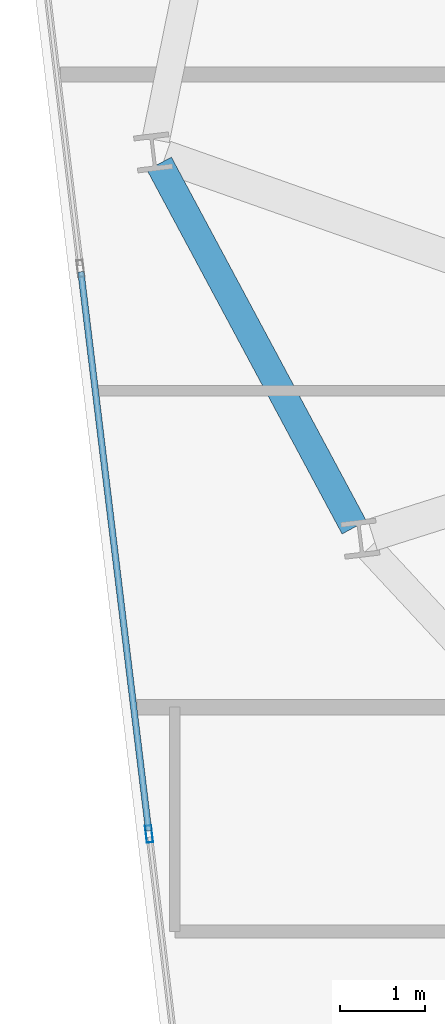
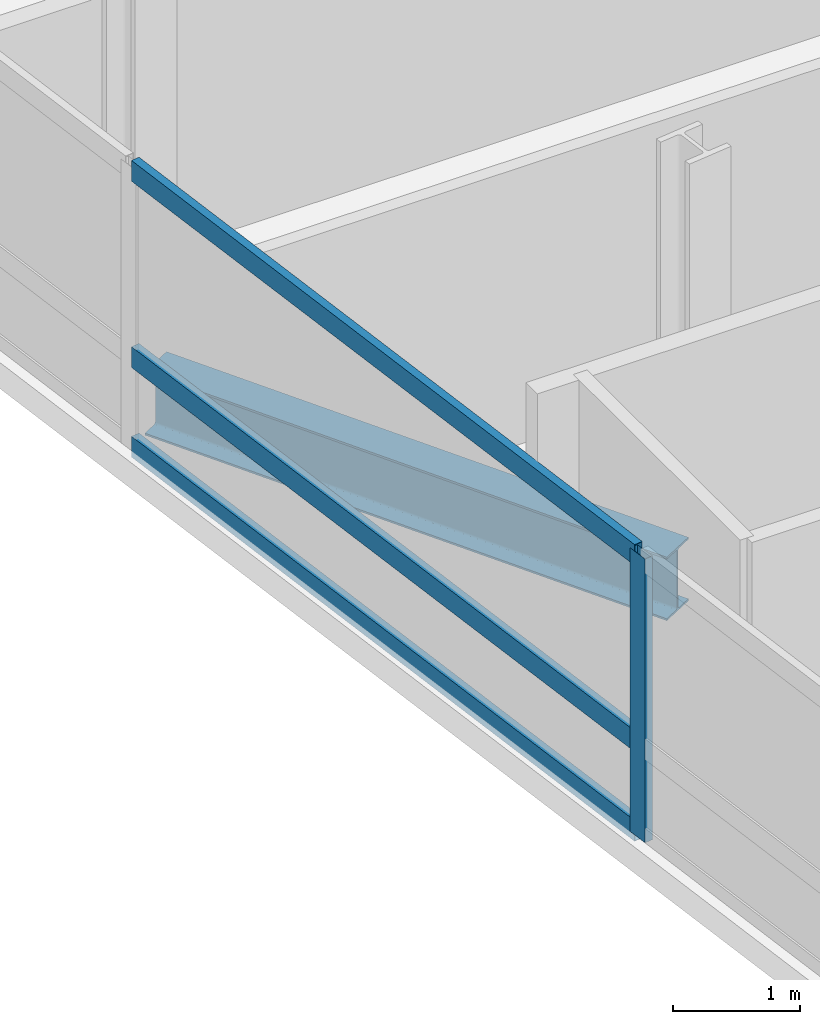
# One storey, part 4 of 23: 4 members, 1 beam, 1 element without a shape of its own.
"""IFC4 building model written with IfcOpenShell, lengths in metres."""

import ifcopenshell
import ifcopenshell.guid

model = None  # the IFC model being written
_history = None  # IfcOwnerHistory: only IFC2X3 demands one
_inside = {}  # id of a spatial element -> (the spatial element, [elements in it])
_under = {}  # id of a project, library or spatial element -> (it, [spatial elements below it])
_declared = {}  # id of a project -> (the project, [libraries it declares])
_typed = {}  # id of a type object -> (the type object, [elements of that type])
_made_of = {}  # id of a material, layer set ... -> (it, [elements and type objects made of it])


def new_model(schema):
    """Start an empty IFC model of exactly this schema.

    Asked for "IFC4X3", IfcOpenShell would pick the latest addendum, in which some entities
    have other attributes; the version numbers below select the first issue.
    IFC2X3 requires an IfcOwnerHistory on every rooted entity: one is made here for all.
    """
    global model, _history
    if schema == "IFC4X3":
        model = ifcopenshell.file(schema_version=(4, 3, 0, 0))
    else:
        model = ifcopenshell.file(schema=schema)
    _inside.clear()
    _under.clear()
    _declared.clear()
    _typed.clear()
    _made_of.clear()
    _history = None
    if model.schema == "IFC2X3":
        org = make("IfcOrganization", Name="unknown")
        user = make(
            "IfcPersonAndOrganization",
            ThePerson=make("IfcPerson", FamilyName="unknown"),
            TheOrganization=org,
        )
        app = make(
            "IfcApplication",
            ApplicationDeveloper=org,
            Version="unknown",
            ApplicationFullName="unknown",
            ApplicationIdentifier="unknown",
        )
        _history = make(
            "IfcOwnerHistory",
            OwningUser=user,
            OwningApplication=app,
            ChangeAction="ADDED",
            CreationDate=0,
        )
    return model


def make(cls, **values):
    """One entity of the class cls with the attributes given. An attribute that is None is left unset."""
    return model.create_entity(
        cls, **{name: value for name, value in values.items() if value is not None}
    )


def rooted(cls, **values):
    """An entity with a GlobalId (a new one), such as an element, a storey or a relation."""
    return make(cls, GlobalId=ifcopenshell.guid.new(), OwnerHistory=_history, **values)


def si_unit(unit_type, name, prefix=None):
    """IfcSIUnit, for example si_unit("LENGTHUNIT", "METRE", prefix="MILLI")."""
    return make("IfcSIUnit", UnitType=unit_type, Prefix=prefix, Name=name)


def assignment(units):
    """IfcUnitAssignment: the units of a project."""
    return None if units is None else make("IfcUnitAssignment", Units=units)


def point(xyz):
    """IfcCartesianPoint."""
    return None if xyz is None else make("IfcCartesianPoint", Coordinates=xyz)


def direction(xyz):
    """IfcDirection."""
    return None if xyz is None else make("IfcDirection", DirectionRatios=xyz)


def frame(location, z_axis=None, x_axis=None):
    """IfcAxis2Placement3D, a coordinate frame: its origin and axes. An axis left out is left unset."""
    return make(
        "IfcAxis2Placement3D",
        Location=point(location),
        Axis=direction(z_axis),
        RefDirection=direction(x_axis),
    )


def frame_2d(location, x_axis=None):
    """IfcAxis2Placement2D, a coordinate frame in the plane: its origin and x axis."""
    return make(
        "IfcAxis2Placement2D", Location=point(location), RefDirection=direction(x_axis)
    )


def origin():
    """The frame at (0, 0, 0) with its axes left unset."""
    return frame((0.0, 0.0, 0.0))


def origin_2d():
    """The frame at (0, 0) in the plane with its x axis left unset."""
    return frame_2d((0.0, 0.0))


def place(relative_to, where):
    """IfcLocalPlacement: puts the frame where relative to a parent placement (None: the world)."""
    return make(
        "IfcLocalPlacement", PlacementRelTo=relative_to, RelativePlacement=where
    )


def context(
    kind, dimensions, precision=None, world=None, true_north=None, identifier=None
):
    """IfcGeometricRepresentationContext, for example the 3D "Model" context."""
    return make(
        "IfcGeometricRepresentationContext",
        ContextIdentifier=identifier,
        ContextType=kind,
        CoordinateSpaceDimension=dimensions,
        Precision=precision,
        WorldCoordinateSystem=world,
        TrueNorth=true_north,
    )


def subcontext(parent, identifier, kind, view, scale=None):
    """IfcGeometricRepresentationSubContext, for example "Body" below "Model"."""
    return make(
        "IfcGeometricRepresentationSubContext",
        ContextIdentifier=identifier,
        ContextType=kind,
        ParentContext=parent,
        TargetScale=scale,
        TargetView=view,
    )


def project(units=None, contexts=None):
    """IfcProject with its units and contexts."""
    return rooted(
        "IfcProject",
        Name="project",
        RepresentationContexts=contexts,
        UnitsInContext=assignment(units),
    )


def spatial(cls, under=None, at=None, **own):
    """A site, building, storey or space (cls), placed at a placement, below another one or the project."""
    s = rooted(cls, ObjectPlacement=at, **own)
    if under is not None:
        _under.setdefault(under.id(), (under, []))[1].append(s)
    return s


def profile(cls, at=None, kind="AREA", **sizes):
    """A parametric profile (cls). Its sizes go by their IFC names, for example OverallWidth=200.0."""
    return make(cls, ProfileType=kind, Position=at, **sizes)


def hollow_rectangle(**sizes):
    """IfcRectangleHollowProfileDef."""
    return profile("IfcRectangleHollowProfileDef", **sizes)


def i_section(**sizes):
    """IfcIShapeProfileDef."""
    return profile("IfcIShapeProfileDef", **sizes)


def extrude(swept, where, along, depth):
    """IfcExtrudedAreaSolid: the profile swept, set in the frame where, extruded along a direction by depth."""
    return make(
        "IfcExtrudedAreaSolid",
        SweptArea=swept,
        Position=where,
        ExtrudedDirection=direction(along),
        Depth=depth,
    )


def shape(context_of_items, identifier, shape_type, items):
    """IfcShapeRepresentation: the items that make up one representation, for example the "Body"."""
    return make(
        "IfcShapeRepresentation",
        ContextOfItems=context_of_items,
        RepresentationIdentifier=identifier,
        RepresentationType=shape_type,
        Items=items,
    )


def material(Name=None, Category=None):
    """IfcMaterial."""
    return make("IfcMaterial", Name=Name, Category=Category)


def layer(
    of_material, thickness, ventilated=None, Name=None, Category=None, Priority=None
):
    """IfcMaterialLayer: one layer of a wall or slab, of a material (None: an air gap)."""
    return make(
        "IfcMaterialLayer",
        Material=of_material,
        LayerThickness=thickness,
        IsVentilated=ventilated,
        Name=Name,
        Category=Category,
        Priority=Priority,
    )


def layer_set(layers, Name=None):
    """IfcMaterialLayerSet."""
    return make("IfcMaterialLayerSet", MaterialLayers=layers, LayerSetName=Name)


def material_profile(
    of_material, cross_section, Name=None, Category=None, Priority=None
):
    """IfcMaterialProfile: a cross section and its material."""
    return make(
        "IfcMaterialProfile",
        Name=Name,
        Material=of_material,
        Profile=cross_section,
        Priority=Priority,
        Category=Category,
    )


def profile_set(profiles, Name=None, composite=None):
    """IfcMaterialProfileSet."""
    return make(
        "IfcMaterialProfileSet",
        Name=Name,
        MaterialProfiles=profiles,
        CompositeProfile=composite,
    )


def made_of(thing, what):
    """Note that an element or type object is made of a material, layer set ...; save() writes the relation."""
    if what is not None:
        _made_of.setdefault(what.id(), (what, []))[1].append(thing)
    return thing


def type_object(cls, material=None, **own):
    """A type object (cls), such as IfcWallType, which elements share."""
    return made_of(rooted(cls, **own), material)


def element(
    cls,
    number,
    at=None,
    inside=None,
    cuts=None,
    type_object=None,
    material=None,
    context=None,
    identifier="Body",
    shape_type=None,
    held_by="IfcProductDefinitionShape",
    body=None,
    shapes=None,
    **own,
):
    """One element of the class cls, such as IfcWall. Its Tag is "e" and its number.

    at: its placement. inside: the storey or other place that contains it. cuts: it is an
    opening in that element (IfcRelVoidsElement). A single representation is given by context,
    identifier, shape_type and body (its items); several are given by shapes. held_by: the class
    of the entity that holds the representations. save() writes the other relations.
    """
    e = rooted(cls, Tag="e%d" % number, ObjectPlacement=at, **own)
    if body is not None:
        shapes = [shape(context, identifier, shape_type, body)]
    if shapes is not None:
        e.Representation = make(held_by, Representations=shapes)
    if inside is not None:
        _inside.setdefault(inside.id(), (inside, []))[1].append(e)
    if cuts is not None:
        rooted(
            "IfcRelVoidsElement", RelatingBuildingElement=cuts, RelatedOpeningElement=e
        )
    if type_object is not None:
        _typed.setdefault(type_object.id(), (type_object, []))[1].append(e)
    return made_of(e, material)


def aggregate(whole, parts):
    """IfcRelAggregates: a whole, such as a stair, and the parts it consists of."""
    return rooted("IfcRelAggregates", RelatingObject=whole, RelatedObjects=parts)


def save(model, path):
    """Write the relations noted so far, then the file.

    IfcRelAggregates (storeys below a building ...), IfcRelContainedInSpatialStructure (elements
    in a storey), IfcRelDefinesByType, IfcRelAssociatesMaterial and IfcRelDeclares: one each for
    every whole, place, type object, material and project.
    """
    for whole, parts in _under.values():
        aggregate(whole, parts)
    for where, things in _inside.values():
        rooted(
            "IfcRelContainedInSpatialStructure",
            RelatedElements=things,
            RelatingStructure=where,
        )
    for kind, things in _typed.values():
        rooted("IfcRelDefinesByType", RelatedObjects=things, RelatingType=kind)
    for what, things in _made_of.values():
        rooted("IfcRelAssociatesMaterial", RelatedObjects=things, RelatingMaterial=what)
    for by, libraries in _declared.values():
        rooted("IfcRelDeclares", RelatingContext=by, RelatedDefinitions=libraries)
    model.write(path)


model = new_model("IFC4")

# Units and contexts
model_context = context("Model", 3, precision=1e-05, world=origin(), true_north=direction((0.0, 1.0)))
body_context = subcontext(model_context, "Body", "Model", "MODEL_VIEW")
ifc_project = project(units=[si_unit("LENGTHUNIT", "METRE"), si_unit("AREAUNIT", "SQUARE_METRE"), si_unit("VOLUMEUNIT", "CUBIC_METRE"), si_unit("PLANEANGLEUNIT", "RADIAN"), si_unit("MASSUNIT", "GRAM", prefix="KILO")], contexts=[model_context])

# Site, building, storey
site_placement = place(None, origin())
site = spatial("IfcSite", under=ifc_project, at=site_placement, CompositionType="ELEMENT")
building_placement = place(site_placement, origin())
building = spatial("IfcBuilding", under=site, at=building_placement, Name="Varnelok Gate Tower", CompositionType="ELEMENT")
storey_placement = place(building_placement, frame((0.0, 0.0, 182.0)))
storey = spatial("IfcBuildingStorey", under=building, at=storey_placement, Name="L46", CompositionType="ELEMENT", Elevation=182.0)

# Beam
ifc_material_1 = material(Name="Structural Steel ASTM A992 Grade 50", Category="steel")
ifc_material_profile_1 = material_profile(ifc_material_1, i_section(OverallWidth=0.323974609375, OverallDepth=0.611083984375, WebThickness=0.0126953125, FlangeThickness=0.01904296875, FilletRadius=0.01806640625, at=origin_2d()), Name="W24X104")
ifc_profile_set_1 = profile_set([ifc_material_profile_1], Name="Structural Steel ASTM A992 Grade 50")
beam_type = type_object("IfcBeamType", Name="BM-SPN-W24X104", PredefinedType="SPANDREL", material=ifc_profile_set_1)
beam_placement = place(storey_placement, frame((4.816650390625, 25.61474609375, -0.555419921875), z_axis=(0.472471917257, -0.881345725242, 0.0), x_axis=(0.881345725242, 0.472471917257, 0.0)))
element("IfcBeam", 1, at=beam_placement, inside=storey, type_object=beam_type, Name="L46 Perimeter Spandrel Beam 15", PredefinedType="SPANDREL", context=body_context, shape_type="SweptSolid", body=[
    extrude(i_section(OverallWidth=0.323974609375, OverallDepth=0.611083984375, WebThickness=0.0126953125, FlangeThickness=0.01904296875, FilletRadius=0.01806640625, at=origin_2d()), origin(), (0.0, 0.0, 1.0), 4.8408203125),
])

# Curtain wall, members
ifc_material_2 = material(Name="Anodized Aluminum Alloy 6063-T6", Category="aluminium")
ifc_layer = layer(ifc_material_2, 0.179931640625)
ifc_layer_set = layer_set([ifc_layer], Name="Anodized Aluminum Alloy 6063-T6")
curtain_wall_type = type_object("IfcCurtainWallType", Name="CW4-RESIDENCE-VISION", PredefinedType="USERDEFINED", material=ifc_layer_set)
curtain_wall_placement = place(storey_placement, origin())
curtain_wall = element("IfcCurtainWall", 2, at=curtain_wall_placement, inside=storey, type_object=curtain_wall_type, Name="L46 West End Vision Curtain Wall", ObjectType="UNITISED CURTAIN WALL", PredefinedType="USERDEFINED")
ifc_material_profile_2 = material_profile(ifc_material_2, hollow_rectangle(XDim=0.074951171875, YDim=0.199951171875, WallThickness=0.00390625, at=origin_2d()), Name="ALU200X75X4")
ifc_profile_set_2 = profile_set([ifc_material_profile_2], Name="Anodized Aluminum Alloy 6063-T6")
member_type_1 = type_object("IfcMemberType", Name="CW-MULL-200", PredefinedType="MULLION", material=ifc_profile_set_2)
member_1_placement = place(storey_placement, frame((4.697509765625, 17.7529296875, 0.0), z_axis=(0.0, 0.0, 1.0), x_axis=(-0.992732188751, -0.120344511371, 0.0)))
member_1 = element("IfcMember", 3, at=member_1_placement, type_object=member_type_1, Name="CW4 mullion 3", PredefinedType="MULLION", context=body_context, shape_type="SweptSolid", body=[
    extrude(hollow_rectangle(XDim=0.074951171875, YDim=0.199951171875, WallThickness=0.00390625, at=origin_2d()), origin(), (0.0, 0.0, 1.0), 2.72998046875),
])
ifc_material_profile_3 = material_profile(ifc_material_2, hollow_rectangle(XDim=0.074951171875, YDim=0.199951171875, WallThickness=0.00390625, at=origin_2d()), Name="ALU200X75X4")
ifc_profile_set_3 = profile_set([ifc_material_profile_3], Name="Anodized Aluminum Alloy 6063-T6")
member_type_2 = type_object("IfcMemberType", Name="CW-TRAN-200", PredefinedType="USERDEFINED", material=ifc_profile_set_3)
member_2_placement = place(storey_placement, frame((4.69287109375, 17.790283203125, 0.03759765625), z_axis=(-0.120317016873, 0.992735521401, 0.0), x_axis=(-0.992735521401, -0.120317016873, 0.0)))
member_2 = element("IfcMember", 4, at=member_2_placement, type_object=member_type_2, Name="CW4 transom 3.1", ObjectType="TRANSOM", PredefinedType="USERDEFINED", context=body_context, shape_type="SweptSolid", body=[
    extrude(hollow_rectangle(XDim=0.074951171875, YDim=0.199951171875, WallThickness=0.00390625, at=origin_2d()), origin(), (0.0, 0.0, 1.0), 6.60498046875),
])
member_3_placement = place(storey_placement, frame((4.69287109375, 17.790283203125, 0.89990234375), z_axis=(-0.120317016873, 0.992735521401, 0.0), x_axis=(-0.992735521401, -0.120317016873, 0.0)))
member_3 = element("IfcMember", 5, at=member_3_placement, type_object=member_type_2, Name="CW4 transom 3.2", ObjectType="TRANSOM", PredefinedType="USERDEFINED", context=body_context, shape_type="SweptSolid", body=[
    extrude(hollow_rectangle(XDim=0.074951171875, YDim=0.199951171875, WallThickness=0.00390625, at=origin_2d()), origin(), (0.0, 0.0, 1.0), 6.60498046875),
])
member_4_placement = place(storey_placement, frame((4.69287109375, 17.790283203125, 2.6923828125), z_axis=(-0.120317016873, 0.992735521401, 0.0), x_axis=(-0.992735521401, -0.120317016873, 0.0)))
member_4 = element("IfcMember", 6, at=member_4_placement, type_object=member_type_2, Name="CW4 transom 3.3", ObjectType="TRANSOM", PredefinedType="USERDEFINED", context=body_context, shape_type="SweptSolid", body=[
    extrude(hollow_rectangle(XDim=0.074951171875, YDim=0.199951171875, WallThickness=0.00390625, at=origin_2d()), origin(), (0.0, 0.0, 1.0), 6.60498046875),
])
aggregate(curtain_wall, [member_1, member_2, member_3, member_4])

save(model, "model.ifc")
